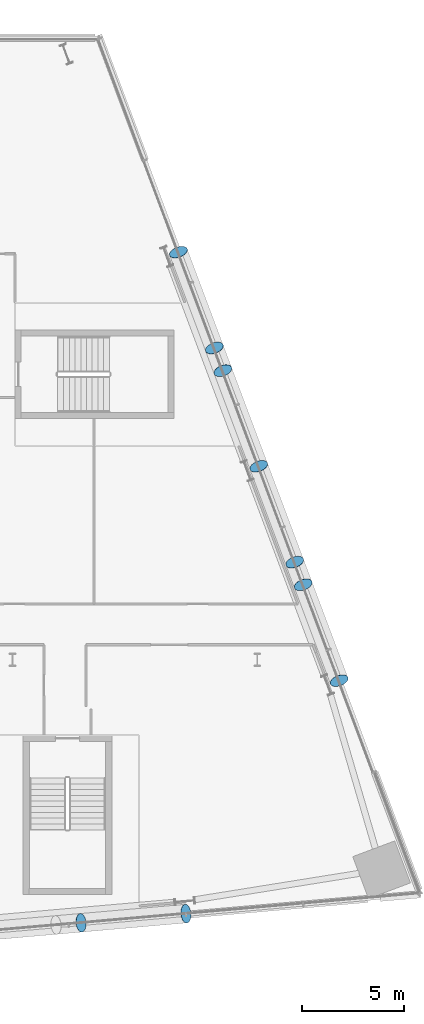
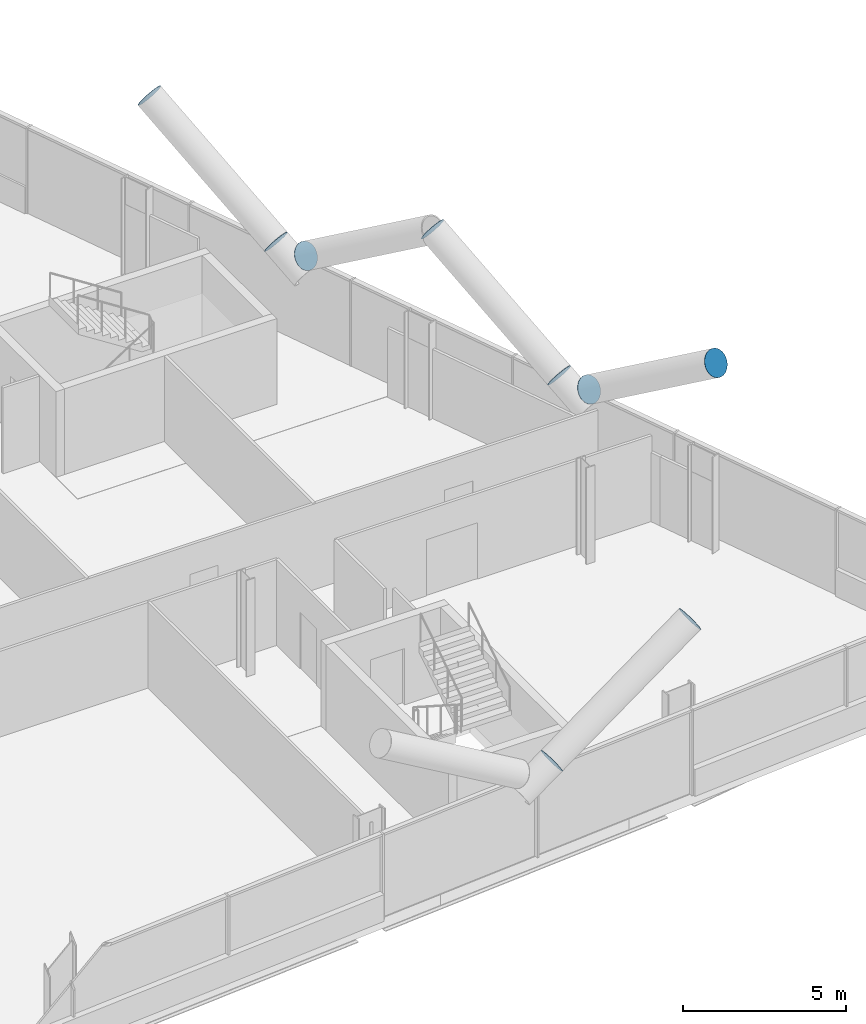
# One storey, part 23 of 27: 9 discrete accessories.
"""IFC4 building model written with IfcOpenShell, lengths in metres."""

from ifc_helpers import new_model, si_unit, direction, frame, origin, origin_2d, place, context, subcontext, project, spatial, circle, extrude, material, material_profile, profile_set, type_object, element, save


model = new_model("IFC4")

# Units and contexts
model_context = context("Model", 3, precision=1e-05, world=origin(), true_north=direction((0.0, 1.0)))
body_context = subcontext(model_context, "Body", "Model", "MODEL_VIEW")
ifc_project = project(units=[si_unit("LENGTHUNIT", "METRE"), si_unit("AREAUNIT", "SQUARE_METRE"), si_unit("VOLUMEUNIT", "CUBIC_METRE"), si_unit("PLANEANGLEUNIT", "RADIAN"), si_unit("MASSUNIT", "GRAM", prefix="KILO")], contexts=[model_context])

# Site, building, storey
site_placement = place(None, origin())
site = spatial("IfcSite", under=ifc_project, at=site_placement, CompositionType="ELEMENT")
building_placement = place(site_placement, origin())
building = spatial("IfcBuilding", under=site, at=building_placement, Name="Wharfspan Tower", CompositionType="ELEMENT")
storey_placement = place(building_placement, frame((0.0, 0.0, 48.699951)))
storey = spatial("IfcBuildingStorey", under=building, at=storey_placement, Name="L08", CompositionType="ELEMENT", Elevation=48.699951)

# Discrete accessories
ifc_material = material(Name="Steel S460NH", Category="steel")
ifc_material_profile = material_profile(ifc_material, circle(Radius=0.457031, at=origin_2d()))
ifc_profile_set = profile_set([ifc_material_profile], Name="Steel S460NH")
discrete_accessory_type = type_object("IfcDiscreteAccessoryType", Name="End plate CHS 914x40", PredefinedType="BRACKET", material=ifc_profile_set)
for number, where, z_axis, x_axis, name in (
    (1, (75.352783, -1.401123, 3.280518), (0.844416, 0.072379, 0.530776), (-0.085402, 0.99635, 0.0), "End plate CHS 914x40"),
    (2, (80.495117, -0.951416, 6.5), (0.844416, 0.072379, 0.530776), (-0.085402, 0.99635, 0.0), "End plate CHS 914x40"),
    (3, (85.835938, 16.280762, 3.2771), (-0.2913, 0.7768, 0.558325), (-0.936328, -0.351123, 0.0), "End plate CHS 914x40"),
    (4, (84.073486, 20.980713, 6.5), (-0.295241, 0.787309, 0.541275), (-0.936333, -0.351125, 0.0), "End plate CHS 914x40"),
    (5, (86.248535, 15.180664, 3.2771), (0.2913, -0.7768, 0.558325), (0.936328, 0.351123, 0.0), "End plate CHS 914x40"),
    (6, (88.010986, 10.480713, 6.5), (0.295241, -0.787309, 0.541275), (0.936333, 0.351125, 0.0), "End plate CHS 914x40"),
    (7, (81.898438, 26.780762, 3.2771), (-0.2913, 0.7768, 0.558325), (-0.936328, -0.351123, 0.0), "End plate CHS 914x40"),
    (8, (80.135986, 31.480713, 6.5), (-0.295241, 0.787309, 0.541275), (-0.936333, -0.351125, 0.0), "End plate CHS 914x40"),
    (9, (82.311035, 25.680664, 3.2771), (0.2913, -0.7768, 0.558325), (0.936328, 0.351123, 0.0), "End plate CHS 914x40"),
):
    element("IfcDiscreteAccessory", number, at=place(storey_placement, frame(where, z_axis=z_axis, x_axis=x_axis)), inside=storey, type_object=discrete_accessory_type, Name=name, PredefinedType="BRACKET", context=body_context, shape_type="SweptSolid", body=[
        extrude(circle(Radius=0.457031, at=origin_2d()), origin(), (0.0, 0.0, 1.0), 0.01001),
    ])

save(model, "model.ifc")
